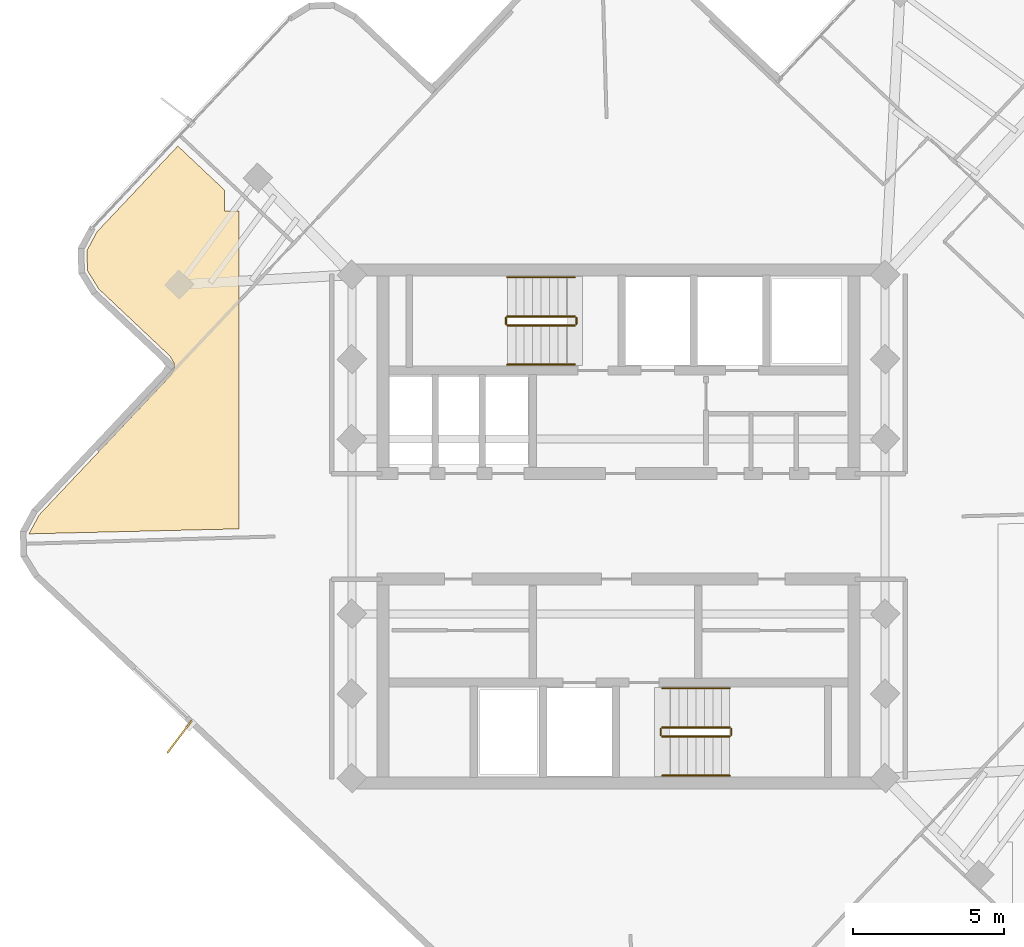
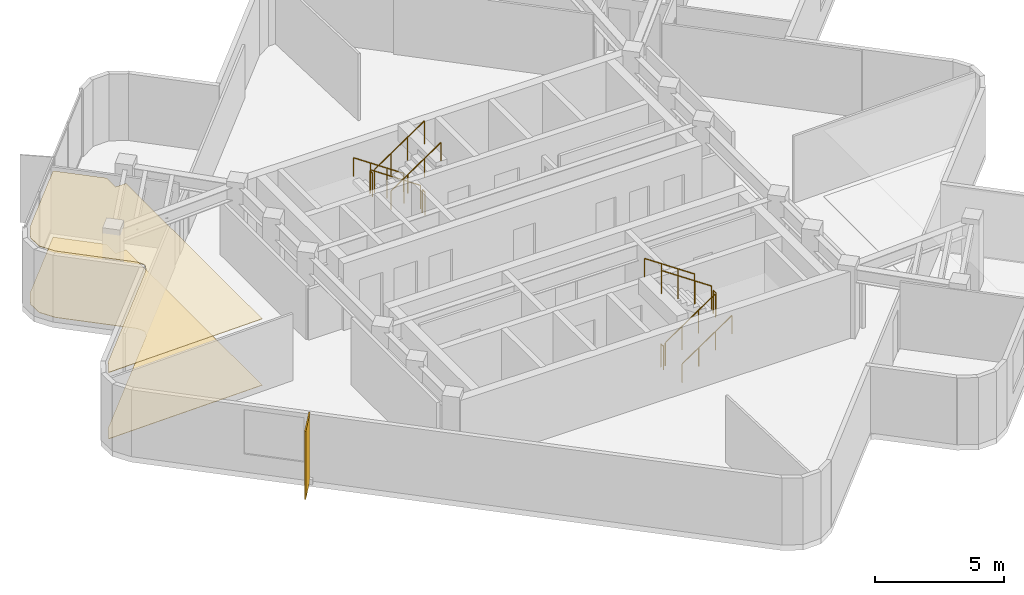
# One storey, part 9 of 10: 12 railings, 2 coverings, 1 shading device.
"""IFC4 building model written with IfcOpenShell, lengths in metres."""

from ifc_helpers import new_model, si_unit, direction, frame, origin, origin_2d, place, context, subcontext, project, spatial, polyline, rectangle, circle, outline, extrude, material, layer, layer_set, type_object, element, save


model = new_model("IFC4")

# Units and contexts
model_context = context("Model", 3, precision=1e-05, world=origin(), true_north=direction((0.0, 1.0)))
body_context = subcontext(model_context, "Body", "Model", "MODEL_VIEW")
ifc_project = project(units=[si_unit("LENGTHUNIT", "METRE"), si_unit("AREAUNIT", "SQUARE_METRE"), si_unit("VOLUMEUNIT", "CUBIC_METRE"), si_unit("PLANEANGLEUNIT", "RADIAN"), si_unit("MASSUNIT", "GRAM", prefix="KILO")], contexts=[model_context])

# Site, building, storey
site_placement = place(None, origin())
site = spatial("IfcSite", under=ifc_project, at=site_placement, CompositionType="ELEMENT")
building_placement = place(site_placement, origin())
building = spatial("IfcBuilding", under=site, at=building_placement, Name="Solmarez Civic Tower", CompositionType="ELEMENT")
storey_placement = place(building_placement, frame((0.0, 0.0, 247.5)))
storey = spatial("IfcBuildingStorey", under=building, at=storey_placement, Name="L66", CompositionType="ELEMENT", Elevation=247.5)

# Coverings
ifc_material_1 = material(Name="Perforated Mineral-Fibre Acoustic Ceiling")
ifc_layer_1 = layer(ifc_material_1, 0.02490234375)
ifc_layer_set_1 = layer_set([ifc_layer_1], Name="Perforated Mineral-Fibre Acoustic Ceiling")
covering_type_1 = type_object("IfcCoveringType", Name="COV-CEIL-ACOUSTIC", PredefinedType="CEILING", material=ifc_layer_set_1)
covering_1_placement = place(storey_placement, frame((0.0, 0.0, 3.135009765625)))
element("IfcCovering", 1, at=covering_1_placement, inside=storey, type_object=covering_type_1, Name="L66 Suspended Acoustic Ceiling 1", PredefinedType="CEILING", context=body_context, shape_type="SweptSolid", body=[
    extrude(outline(polyline([(-14.875, 5.62890625), (-14.783935546875, 5.48193359375), (-14.77392578125, 5.464111328125), (-14.77099609375, 5.4580078125), (-14.76611328125, 5.447021484375), (-14.762939453125, 5.43994140625), (-14.759033203125, 5.429931640625), (-14.756103515625, 5.422119140625), (-14.7490234375, 5.39990234375), (-14.743896484375, 5.3759765625), (-14.742919921875, 5.364990234375), (-14.741943359375, 5.35888671875), (-14.740966796875, 5.35400390625), (-14.739013671875, 5.3349609375), (-14.739013671875, 5.31494140625), (-14.740966796875, 5.2958984375), (-14.741943359375, 5.283935546875), (-14.742919921875, 5.277099609375), (-14.748046875, 5.2548828125), (-14.75, 5.2470703125), (-14.7548828125, 5.22998046875), (-14.760986328125, 5.212890625), (-14.763916015625, 5.2060546875), (-14.76708984375, 5.198974609375), (-14.77587890625, 5.180908203125), (-14.85693359375, 5.031005859375), (-14.87109375, 5.007080078125), (-14.875, 5.0009765625), (-14.887939453125, 4.98388671875), (-14.905029296875, 4.965087890625), (-19.22509765625, 0.384033203125), (-19.56103515625, -0.239013671875), (-19.56103515625, -0.2470703125), (-12.60009765625, -0.0810546875), (-12.60009765625, 10.466064453125), (-13.071044921875, 10.466064453125), (-13.071044921875, 11.157958984375), (-14.625, 12.623046875), (-17.306884765625, 9.778076171875), (-17.64306640625, 9.154052734375), (-17.6240234375, 8.487060546875), (-17.251953125, 7.884033203125), (-14.924072265625, 5.68896484375), (-14.9189453125, 5.68505859375), (-14.9140625, 5.679931640625), (-14.89990234375, 5.6630859375), (-14.886962890625, 5.64599609375), (-14.875, 5.62890625)])), origin(), (0.0, 0.0, 1.0), 0.02490234375),
])
ifc_material_2 = material(Name="Polished Tropical Stone Terrazzo Flooring", Category="masonry")
ifc_layer_2 = layer(ifc_material_2, 0.02001953125)
ifc_layer_set_2 = layer_set([ifc_layer_2], Name="Polished Tropical Stone Terrazzo Flooring")
covering_type_2 = type_object("IfcCoveringType", Name="COV-FLOOR-TERRAZZO", PredefinedType="FLOORING", material=ifc_layer_set_2)
covering_2_placement = place(storey_placement, origin())
element("IfcCovering", 2, at=covering_2_placement, inside=storey, type_object=covering_type_2, Name="L66 Terrazzo Floor Finish 1", PredefinedType="FLOORING", context=body_context, shape_type="SweptSolid", body=[
    extrude(outline(polyline([(-14.875, 5.62890625), (-14.783935546875, 5.48193359375), (-14.77392578125, 5.464111328125), (-14.77099609375, 5.4580078125), (-14.76611328125, 5.447021484375), (-14.762939453125, 5.43994140625), (-14.759033203125, 5.429931640625), (-14.756103515625, 5.422119140625), (-14.7490234375, 5.39990234375), (-14.743896484375, 5.3759765625), (-14.742919921875, 5.364990234375), (-14.741943359375, 5.35888671875), (-14.740966796875, 5.35400390625), (-14.739013671875, 5.3349609375), (-14.739013671875, 5.31494140625), (-14.740966796875, 5.2958984375), (-14.741943359375, 5.283935546875), (-14.742919921875, 5.277099609375), (-14.748046875, 5.2548828125), (-14.75, 5.2470703125), (-14.7548828125, 5.22998046875), (-14.760986328125, 5.212890625), (-14.763916015625, 5.2060546875), (-14.76708984375, 5.198974609375), (-14.77587890625, 5.180908203125), (-14.85693359375, 5.031005859375), (-14.87109375, 5.007080078125), (-14.875, 5.0009765625), (-14.887939453125, 4.98388671875), (-14.905029296875, 4.965087890625), (-19.22509765625, 0.384033203125), (-19.56103515625, -0.239013671875), (-19.56103515625, -0.2470703125), (-12.60009765625, -0.0810546875), (-12.60009765625, 10.466064453125), (-13.071044921875, 10.466064453125), (-13.071044921875, 11.157958984375), (-14.625, 12.623046875), (-17.306884765625, 9.778076171875), (-17.64306640625, 9.154052734375), (-17.6240234375, 8.487060546875), (-17.251953125, 7.884033203125), (-14.924072265625, 5.68896484375), (-14.9189453125, 5.68505859375), (-14.9140625, 5.679931640625), (-14.89990234375, 5.6630859375), (-14.886962890625, 5.64599609375), (-14.875, 5.62890625)])), origin(), (0.0, 0.0, 1.0), 0.02001953125),
])

# Shading device
ifc_material_3 = material(Name="Bronze Anodised Aluminium EN AW-6063 T6", Category="aluminium")
ifc_layer_3 = layer(ifc_material_3, 0.054931640625)
ifc_layer_set_3 = layer_set([ifc_layer_3], Name="Bronze Anodised Aluminium EN AW-6063 T6")
shading_device_type = type_object("IfcShadingDeviceType", Name="FIN-BRONZE-Z56", PredefinedType="USERDEFINED", material=ifc_layer_set_3)
shading_device_placement = place(storey_placement, frame((-14.569091796875, -6.98193359375, -0.0400390625), z_axis=(0.0, 0.0, 1.0), x_axis=(-0.603945514244, -0.797025605501, 0.0)))
element("IfcShadingDevice", 3, at=shading_device_placement, inside=storey, type_object=shading_device_type, Name="L66 Anodised Bronze Solar Fin FIN-L66-01", ObjectType="FIN", PredefinedType="USERDEFINED", context=body_context, shape_type="SweptSolid", body=[
    extrude(rectangle(XDim=1.35009765625, YDim=0.054931640625, at=origin_2d()), origin(), (0.0, 0.0, 1.0), 3.199951171875),
])

# Railings
ifc_material_4 = material(Name="Painted Steel Stairwell Safety Guard", Category="steel")
railing_type_1 = type_object("IfcRailingType", Name="GUARD-STAIR-1120", PredefinedType="BALUSTRADE", material=ifc_material_4)
railing_1_placement = place(storey_placement, frame((-1.449951171875, 6.969970703125, 0.18994140625)))
element("IfcRailing", 4, at=railing_1_placement, inside=storey, type_object=railing_type_1, Name="L66 ST-1 stair guard 1", PredefinedType="BALUSTRADE", context=body_context, shape_type="SweptSolid", body=[
    extrude(circle(Radius=0.02392578125, at=origin_2d()), frame((0.0, 0.0, 1.09619140625), z_axis=(-0.827471284677, 0.0, 0.561508034703), x_axis=(0.0, -1.0, 0.0)), (0.0, 0.0, 1.0), 2.70703125),
    extrude(circle(Radius=0.02099609375, at=origin_2d()), origin(), (0.0, 0.0, 1.0), 1.072021484375),
    extrude(circle(Radius=0.02099609375, at=origin_2d()), frame((-0.74658203125, 0.0, 0.506591796875)), (0.0, 0.0, 1.0), 1.072021484375),
    extrude(circle(Radius=0.02099609375, at=origin_2d()), frame((-1.493408203125, 0.0, 1.013427734375)), (0.0, 0.0, 1.0), 1.072021484375),
    extrude(circle(Radius=0.02099609375, at=origin_2d()), frame((-2.239990234375, 0.0, 1.52001953125)), (0.0, 0.0, 1.0), 1.072021484375),
])
railing_2_placement = place(storey_placement, frame((-3.739990234375, 6.919921875, 1.7099609375)))
element("IfcRailing", 5, at=railing_2_placement, inside=storey, type_object=railing_type_1, Name="L66 ST-1 stair guard 2", PredefinedType="BALUSTRADE", context=body_context, shape_type="SweptSolid", body=[
    extrude(circle(Radius=0.02392578125, at=origin_2d()), frame((0.0, 0.0, 1.09619140625), z_axis=(0.0, -1.0, 0.0), x_axis=(1.0, 0.0, 0.0)), (0.0, 0.0, 1.0), 0.199951171875),
    extrude(circle(Radius=0.02099609375, at=origin_2d()), origin(), (0.0, 0.0, 1.0), 1.072021484375),
    extrude(circle(Radius=0.02099609375, at=origin_2d()), frame((0.0, -0.199951171875, 0.0)), (0.0, 0.0, 1.0), 1.072021484375),
])
railing_3_placement = place(storey_placement, frame((-3.68994140625, 6.669921875, 1.89990234375)))
element("IfcRailing", 6, at=railing_3_placement, inside=storey, type_object=railing_type_1, Name="L66 ST-1 stair guard 3", PredefinedType="BALUSTRADE", context=body_context, shape_type="SweptSolid", body=[
    extrude(circle(Radius=0.02392578125, at=origin_2d()), frame((0.0, 0.0, 1.09619140625), z_axis=(0.827471284677, 0.0, 0.561508034703), x_axis=(0.0, 1.0, 0.0)), (0.0, 0.0, 1.0), 2.70703125),
    extrude(circle(Radius=0.02099609375, at=origin_2d()), origin(), (0.0, 0.0, 1.0), 1.072021484375),
    extrude(circle(Radius=0.02099609375, at=origin_2d()), frame((0.74658203125, 0.0, 0.506591796875)), (0.0, 0.0, 1.0), 1.072021484375),
    extrude(circle(Radius=0.02099609375, at=origin_2d()), frame((1.493408203125, 0.0, 1.013427734375)), (0.0, 0.0, 1.0), 1.072021484375),
    extrude(circle(Radius=0.02099609375, at=origin_2d()), frame((2.239990234375, 0.0, 1.52001953125)), (0.0, 0.0, 1.0), 1.072021484375),
])
railing_4_placement = place(storey_placement, frame((-1.39990234375, 6.919921875, 0.0)))
element("IfcRailing", 7, at=railing_4_placement, inside=storey, type_object=railing_type_1, Name="L66 ST-1 stair guard 4", PredefinedType="BALUSTRADE", context=body_context, shape_type="SweptSolid", body=[
    extrude(circle(Radius=0.02392578125, at=origin_2d()), frame((0.0, 0.0, 1.09619140625), z_axis=(0.0, -1.0, 0.0), x_axis=(1.0, 0.0, 0.0)), (0.0, 0.0, 1.0), 0.199951171875),
    extrude(circle(Radius=0.02099609375, at=origin_2d()), origin(), (0.0, 0.0, 1.0), 1.072021484375),
    extrude(circle(Radius=0.02099609375, at=origin_2d()), frame((0.0, -0.199951171875, 0.0)), (0.0, 0.0, 1.0), 1.072021484375),
])
railing_5_placement = place(storey_placement, frame((1.449951171875, -6.969970703125, 0.18994140625)))
element("IfcRailing", 8, at=railing_5_placement, inside=storey, type_object=railing_type_1, Name="L66 ST-2 stair guard 1", PredefinedType="BALUSTRADE", context=body_context, shape_type="SweptSolid", body=[
    extrude(circle(Radius=0.02392578125, at=origin_2d()), frame((0.0, 0.0, 1.09619140625), z_axis=(0.827471284677, 0.0, 0.561508034703), x_axis=(0.0, 1.0, 0.0)), (0.0, 0.0, 1.0), 2.70703125),
    extrude(circle(Radius=0.02099609375, at=origin_2d()), origin(), (0.0, 0.0, 1.0), 1.072021484375),
    extrude(circle(Radius=0.02099609375, at=origin_2d()), frame((0.74658203125, 0.0, 0.506591796875)), (0.0, 0.0, 1.0), 1.072021484375),
    extrude(circle(Radius=0.02099609375, at=origin_2d()), frame((1.493408203125, 0.0, 1.013427734375)), (0.0, 0.0, 1.0), 1.072021484375),
    extrude(circle(Radius=0.02099609375, at=origin_2d()), frame((2.239990234375, 0.0, 1.52001953125)), (0.0, 0.0, 1.0), 1.072021484375),
])
railing_6_placement = place(storey_placement, frame((3.739990234375, -6.919921875, 1.7099609375)))
element("IfcRailing", 9, at=railing_6_placement, inside=storey, type_object=railing_type_1, Name="L66 ST-2 stair guard 2", PredefinedType="BALUSTRADE", context=body_context, shape_type="SweptSolid", body=[
    extrude(circle(Radius=0.02392578125, at=origin_2d()), frame((0.0, 0.0, 1.09619140625), z_axis=(0.0, 1.0, 0.0), x_axis=(-1.0, 0.0, 0.0)), (0.0, 0.0, 1.0), 0.199951171875),
    extrude(circle(Radius=0.02099609375, at=origin_2d()), origin(), (0.0, 0.0, 1.0), 1.072021484375),
    extrude(circle(Radius=0.02099609375, at=origin_2d()), frame((0.0, 0.199951171875, 0.0)), (0.0, 0.0, 1.0), 1.072021484375),
])
railing_7_placement = place(storey_placement, frame((3.68994140625, -6.669921875, 1.89990234375)))
element("IfcRailing", 10, at=railing_7_placement, inside=storey, type_object=railing_type_1, Name="L66 ST-2 stair guard 3", PredefinedType="BALUSTRADE", context=body_context, shape_type="SweptSolid", body=[
    extrude(circle(Radius=0.02392578125, at=origin_2d()), frame((0.0, 0.0, 1.09619140625), z_axis=(-0.827471284677, 0.0, 0.561508034703), x_axis=(0.0, -1.0, 0.0)), (0.0, 0.0, 1.0), 2.70703125),
    extrude(circle(Radius=0.02099609375, at=origin_2d()), origin(), (0.0, 0.0, 1.0), 1.072021484375),
    extrude(circle(Radius=0.02099609375, at=origin_2d()), frame((-0.74658203125, 0.0, 0.506591796875)), (0.0, 0.0, 1.0), 1.072021484375),
    extrude(circle(Radius=0.02099609375, at=origin_2d()), frame((-1.493408203125, 0.0, 1.013427734375)), (0.0, 0.0, 1.0), 1.072021484375),
    extrude(circle(Radius=0.02099609375, at=origin_2d()), frame((-2.239990234375, 0.0, 1.52001953125)), (0.0, 0.0, 1.0), 1.072021484375),
])
railing_8_placement = place(storey_placement, frame((1.39990234375, -6.919921875, 0.0)))
element("IfcRailing", 11, at=railing_8_placement, inside=storey, type_object=railing_type_1, Name="L66 ST-2 stair guard 4", PredefinedType="BALUSTRADE", context=body_context, shape_type="SweptSolid", body=[
    extrude(circle(Radius=0.02392578125, at=origin_2d()), frame((0.0, 0.0, 1.09619140625), z_axis=(0.0, 1.0, 0.0), x_axis=(-1.0, 0.0, 0.0)), (0.0, 0.0, 1.0), 0.199951171875),
    extrude(circle(Radius=0.02099609375, at=origin_2d()), origin(), (0.0, 0.0, 1.0), 1.072021484375),
    extrude(circle(Radius=0.02099609375, at=origin_2d()), frame((0.0, 0.199951171875, 0.0)), (0.0, 0.0, 1.0), 1.072021484375),
])
ifc_material_5 = material(Name="Brushed Stainless Steel Tube Handrail", Category="steel")
railing_type_2 = type_object("IfcRailingType", Name="HANDRAIL-STAIR-900", PredefinedType="HANDRAIL", material=ifc_material_5)
railing_9_placement = place(storey_placement, frame((-1.449951171875, 8.27001953125, 0.18994140625)))
element("IfcRailing", 12, at=railing_9_placement, inside=storey, type_object=railing_type_2, Name="L66 ST-1 stair handrail 1", PredefinedType="HANDRAIL", context=body_context, shape_type="SweptSolid", body=[
    extrude(circle(Radius=0.02392578125, at=origin_2d()), frame((0.0, 0.0, 0.8759765625), z_axis=(-0.827471284677, 0.0, 0.561508034703), x_axis=(0.0, -1.0, 0.0)), (0.0, 0.0, 1.0), 2.70703125),
    extrude(circle(Radius=0.02099609375, at=origin_2d()), origin(), (0.0, 0.0, 1.0), 0.851806640625),
    extrude(circle(Radius=0.02099609375, at=origin_2d()), frame((-0.74658203125, 0.0, 0.506591796875)), (0.0, 0.0, 1.0), 0.851806640625),
    extrude(circle(Radius=0.02099609375, at=origin_2d()), frame((-1.493408203125, 0.0, 1.013427734375)), (0.0, 0.0, 1.0), 0.851806640625),
    extrude(circle(Radius=0.02099609375, at=origin_2d()), frame((-2.239990234375, 0.0, 1.52001953125)), (0.0, 0.0, 1.0), 0.851806640625),
])
for number, where, name in (
    (13, (-3.68994140625, 5.3701171875, 1.89990234375), "L66 ST-1 stair handrail 2"),
    (14, (1.449951171875, -8.27001953125, 0.18994140625), "L66 ST-2 stair handrail 1"),
):
    element("IfcRailing", number, at=place(storey_placement, frame(where)), inside=storey, type_object=railing_type_2, Name=name, PredefinedType="HANDRAIL", context=body_context, shape_type="SweptSolid", body=[
        extrude(circle(Radius=0.02392578125, at=origin_2d()), frame((0.0, 0.0, 0.8759765625), z_axis=(0.827471284677, 0.0, 0.561508034703), x_axis=(0.0, 1.0, 0.0)), (0.0, 0.0, 1.0), 2.70703125),
        extrude(circle(Radius=0.02099609375, at=origin_2d()), origin(), (0.0, 0.0, 1.0), 0.851806640625),
        extrude(circle(Radius=0.02099609375, at=origin_2d()), frame((0.74658203125, 0.0, 0.506591796875)), (0.0, 0.0, 1.0), 0.851806640625),
        extrude(circle(Radius=0.02099609375, at=origin_2d()), frame((1.493408203125, 0.0, 1.013427734375)), (0.0, 0.0, 1.0), 0.851806640625),
        extrude(circle(Radius=0.02099609375, at=origin_2d()), frame((2.239990234375, 0.0, 1.52001953125)), (0.0, 0.0, 1.0), 0.851806640625),
    ])
railing_10_placement = place(storey_placement, frame((3.68994140625, -5.3701171875, 1.89990234375)))
element("IfcRailing", 15, at=railing_10_placement, inside=storey, type_object=railing_type_2, Name="L66 ST-2 stair handrail 2", PredefinedType="HANDRAIL", context=body_context, shape_type="SweptSolid", body=[
    extrude(circle(Radius=0.02392578125, at=origin_2d()), frame((0.0, 0.0, 0.8759765625), z_axis=(-0.827471284677, 0.0, 0.561508034703), x_axis=(0.0, -1.0, 0.0)), (0.0, 0.0, 1.0), 2.70703125),
    extrude(circle(Radius=0.02099609375, at=origin_2d()), origin(), (0.0, 0.0, 1.0), 0.851806640625),
    extrude(circle(Radius=0.02099609375, at=origin_2d()), frame((-0.74658203125, 0.0, 0.506591796875)), (0.0, 0.0, 1.0), 0.851806640625),
    extrude(circle(Radius=0.02099609375, at=origin_2d()), frame((-1.493408203125, 0.0, 1.013427734375)), (0.0, 0.0, 1.0), 0.851806640625),
    extrude(circle(Radius=0.02099609375, at=origin_2d()), frame((-2.239990234375, 0.0, 1.52001953125)), (0.0, 0.0, 1.0), 0.851806640625),
])

save(model, "model.ifc")
